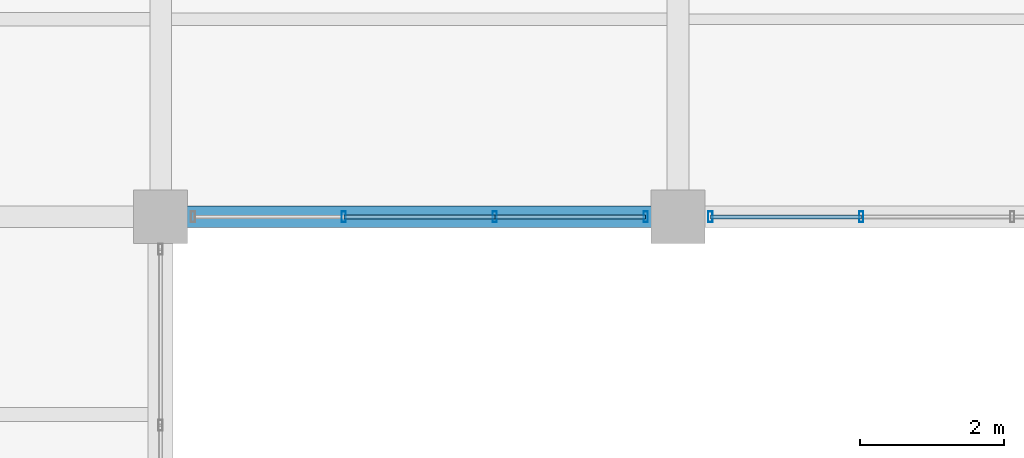
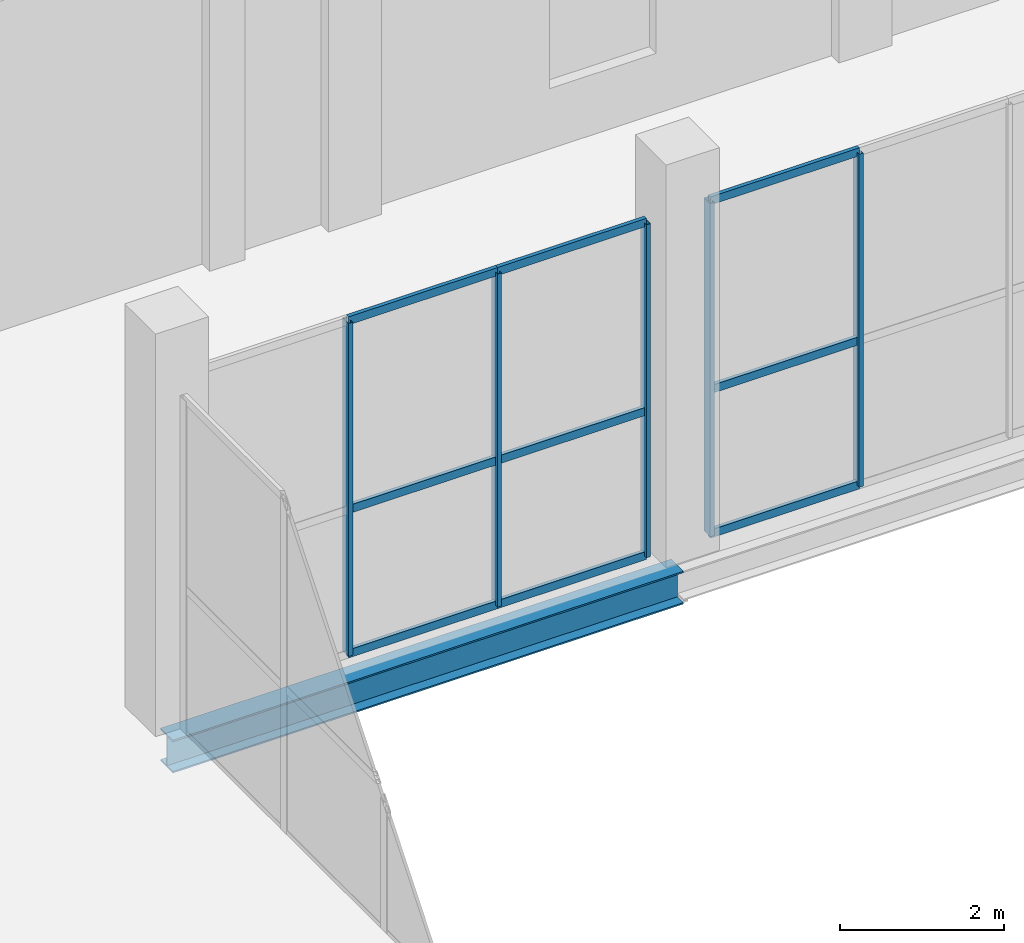
# One storey, part 108 of 144: 14 members, 1 beam, 2 elements without a shape of their own.
"""IFC4 building model written with IfcOpenShell, lengths in metres."""

from ifc_helpers import new_model, si_unit, direction, frame, origin, origin_2d, place, context, subcontext, project, spatial, hollow_rectangle, i_section, extrude, material, layer, layer_set, material_profile, profile_set, type_object, element, aggregate, save


model = new_model("IFC4")

# Units and contexts
model_context = context("Model", 3, precision=1e-05, world=origin(), true_north=direction((0.0, 1.0)))
body_context = subcontext(model_context, "Body", "Model", "MODEL_VIEW")
ifc_project = project(units=[si_unit("LENGTHUNIT", "METRE"), si_unit("AREAUNIT", "SQUARE_METRE"), si_unit("VOLUMEUNIT", "CUBIC_METRE"), si_unit("PLANEANGLEUNIT", "RADIAN"), si_unit("MASSUNIT", "GRAM", prefix="KILO")], contexts=[model_context])

# Site, building, storey
site_placement = place(None, origin())
site = spatial("IfcSite", under=ifc_project, at=site_placement, CompositionType="ELEMENT")
building_placement = place(site_placement, origin())
building = spatial("IfcBuilding", under=site, at=building_placement, Name="Sundgate Opera House", CompositionType="ELEMENT")
storey_placement = place(building_placement, origin())
storey = spatial("IfcBuildingStorey", under=building, at=storey_placement, Name="L00", CompositionType="ELEMENT", Elevation=0.0)

# Beam
ifc_material_1 = material(Name="Steel S355J2", Category="steel")
ifc_material_profile_1 = material_profile(ifc_material_1, i_section(OverallWidth=0.300048828125, OverallDepth=0.489990234375, WebThickness=0.011962890625, FlangeThickness=0.02294921875, at=origin_2d()), Name="HEA 500")
ifc_profile_set_1 = profile_set([ifc_material_profile_1], Name="Steel S355J2")
beam_type = type_object("IfcBeamType", Name="BM-GR-HEA500", PredefinedType="BEAM", material=ifc_profile_set_1)
beam_placement = place(storey_placement, frame((124.199951171875, 111.75, -0.56494140625), z_axis=(1.0, 0.0, 0.0), x_axis=(0.0, 1.0, 0.0)))
element("IfcBeam", 1, at=beam_placement, inside=storey, type_object=beam_type, Name="L00 Primary E-W Girder B0573", PredefinedType="BEAM", context=body_context, shape_type="SweptSolid", body=[
    extrude(i_section(OverallWidth=0.300048828125, OverallDepth=0.489990234375, WebThickness=0.011962890625, FlangeThickness=0.02294921875, at=origin_2d()), origin(), (0.0, 0.0, 1.0), 7.199951171875),
])

# Curtain wall, members
ifc_material_2 = material(Name="Anodized aluminium and low-iron glass", Category="aluminium")
ifc_layer = layer(ifc_material_2, 0.159912109375)
ifc_layer_set = layer_set([ifc_layer], Name="Anodized aluminium and low-iron glass")
curtain_wall_type = type_object("IfcCurtainWallType", Name="CW-STUDIO-DARK", PredefinedType="NOTDEFINED", material=ifc_layer_set)
curtain_wall_1_placement = place(storey_placement, origin())
curtain_wall_1 = element("IfcCurtainWall", 2, at=curtain_wall_1_placement, inside=storey, type_object=curtain_wall_type, Name="L00 Curtain Wall CW081", PredefinedType="NOTDEFINED")
ifc_material_3 = material(Name="Anodized aluminium EN AW-6063", Category="aluminium")
ifc_material_profile_2 = material_profile(ifc_material_3, hollow_rectangle(XDim=0.06005859375, YDim=0.14990234375, WallThickness=0.00390625, at=origin_2d()), Name="CWM 150x60x4")
ifc_profile_set_2 = profile_set([ifc_material_profile_2], Name="Anodized aluminium EN AW-6063")
member_type_1 = type_object("IfcMemberType", Name="CWM-ALU-150x60", PredefinedType="MULLION", material=ifc_profile_set_2)
member_1_placement = place(storey_placement, frame((130.949951171875, 111.75, 0.0), z_axis=(0.0, 0.0, 1.0), x_axis=(1.0, 0.0, 0.0)))
member_1 = element("IfcMember", 3, at=member_1_placement, type_object=member_type_1, Name="CW081 Mullion 1", PredefinedType="MULLION", context=body_context, shape_type="SweptSolid", body=[
    extrude(hollow_rectangle(XDim=0.06005859375, YDim=0.14990234375, WallThickness=0.00390625, at=origin_2d()), origin(), (0.0, 0.0, 1.0), 4.965087890625),
])
member_2_placement = place(storey_placement, frame((128.85009765625, 111.75, 0.0), z_axis=(0.0, 0.0, 1.0), x_axis=(1.0, 0.0, 0.0)))
member_2 = element("IfcMember", 4, at=member_2_placement, type_object=member_type_1, Name="CW081 Mullion 2", PredefinedType="MULLION", context=body_context, shape_type="SweptSolid", body=[
    extrude(hollow_rectangle(XDim=0.06005859375, YDim=0.14990234375, WallThickness=0.00390625, at=origin_2d()), origin(), (0.0, 0.0, 1.0), 4.965087890625),
])
member_3_placement = place(storey_placement, frame((126.75, 111.75, 0.0), z_axis=(0.0, 0.0, 1.0), x_axis=(1.0, 0.0, 0.0)))
member_3 = element("IfcMember", 5, at=member_3_placement, type_object=member_type_1, Name="CW081 Mullion 3", PredefinedType="MULLION", context=body_context, shape_type="SweptSolid", body=[
    extrude(hollow_rectangle(XDim=0.06005859375, YDim=0.14990234375, WallThickness=0.00390625, at=origin_2d()), origin(), (0.0, 0.0, 1.0), 4.965087890625),
])

curtain_wall_2_placement = place(storey_placement, origin())
curtain_wall_2 = element("IfcCurtainWall", 6, at=curtain_wall_2_placement, inside=storey, type_object=curtain_wall_type, Name="L00 Curtain Wall CW083", PredefinedType="NOTDEFINED")
member_4_placement = place(storey_placement, frame((133.949951171875, 111.75, 0.0), z_axis=(0.0, 0.0, 1.0), x_axis=(1.0, 0.0, 0.0)))
member_4 = element("IfcMember", 7, at=member_4_placement, type_object=member_type_1, Name="CW083 Mullion 3", PredefinedType="MULLION", context=body_context, shape_type="SweptSolid", body=[
    extrude(hollow_rectangle(XDim=0.06005859375, YDim=0.14990234375, WallThickness=0.00390625, at=origin_2d()), origin(), (0.0, 0.0, 1.0), 4.965087890625),
])
member_5_placement = place(storey_placement, frame((131.85009765625, 111.75, 0.0), z_axis=(0.0, 0.0, 1.0), x_axis=(1.0, 0.0, 0.0)))
member_5 = element("IfcMember", 8, at=member_5_placement, type_object=member_type_1, Name="CW083 Mullion 4", PredefinedType="MULLION", context=body_context, shape_type="SweptSolid", body=[
    extrude(hollow_rectangle(XDim=0.06005859375, YDim=0.14990234375, WallThickness=0.00390625, at=origin_2d()), origin(), (0.0, 0.0, 1.0), 4.965087890625),
])

# Member
ifc_material_4 = material(Name="Anodized aluminium EN AW-6063", Category="aluminium")
ifc_material_profile_3 = material_profile(ifc_material_4, hollow_rectangle(XDim=0.054931640625, YDim=0.1201171875, WallThickness=0.00390625, at=origin_2d()), Name="CWT 120x55x4")
ifc_profile_set_3 = profile_set([ifc_material_profile_3], Name="Anodized aluminium EN AW-6063")
member_type_2 = type_object("IfcMemberType", Name="CWT-ALU-120x55", PredefinedType="USERDEFINED", material=ifc_profile_set_3)
member_6_placement = place(storey_placement, frame((130.949951171875, 111.75, 0.0), z_axis=(-1.0, 0.0, 0.0), x_axis=(0.0, -1.0, 0.0)))
member_6 = element("IfcMember", 9, at=member_6_placement, type_object=member_type_2, Name="CW081 Transom 1", ObjectType="TRANSOM", PredefinedType="USERDEFINED", context=body_context, shape_type="SweptSolid", body=[
    extrude(hollow_rectangle(XDim=0.054931640625, YDim=0.1201171875, WallThickness=0.00390625, at=origin_2d()), origin(), (0.0, 0.0, 1.0), 2.099853515625),
])

member_7_placement = place(storey_placement, frame((130.949951171875, 111.75, 2.14990234375), z_axis=(-1.0, 0.0, 0.0), x_axis=(0.0, -1.0, 0.0)))
member_7 = element("IfcMember", 10, at=member_7_placement, type_object=member_type_2, Name="CW081 Transom 2", ObjectType="TRANSOM", PredefinedType="USERDEFINED", context=body_context, shape_type="SweptSolid", body=[
    extrude(hollow_rectangle(XDim=0.054931640625, YDim=0.1201171875, WallThickness=0.00390625, at=origin_2d()), origin(), (0.0, 0.0, 1.0), 2.099853515625),
])

member_8_placement = place(storey_placement, frame((130.949951171875, 111.75, 4.965087890625), z_axis=(-1.0, 0.0, 0.0), x_axis=(0.0, -1.0, 0.0)))
member_8 = element("IfcMember", 11, at=member_8_placement, type_object=member_type_2, Name="CW081 Transom 3", ObjectType="TRANSOM", PredefinedType="USERDEFINED", context=body_context, shape_type="SweptSolid", body=[
    extrude(hollow_rectangle(XDim=0.054931640625, YDim=0.1201171875, WallThickness=0.00390625, at=origin_2d()), origin(), (0.0, 0.0, 1.0), 2.099853515625),
])

member_9_placement = place(storey_placement, frame((128.85009765625, 111.75, 0.0), z_axis=(-1.0, 0.0, 0.0), x_axis=(0.0, -1.0, 0.0)))
member_9 = element("IfcMember", 12, at=member_9_placement, type_object=member_type_2, Name="CW081 Transom 4", ObjectType="TRANSOM", PredefinedType="USERDEFINED", context=body_context, shape_type="SweptSolid", body=[
    extrude(hollow_rectangle(XDim=0.054931640625, YDim=0.1201171875, WallThickness=0.00390625, at=origin_2d()), origin(), (0.0, 0.0, 1.0), 2.10009765625),
])

member_10_placement = place(storey_placement, frame((128.85009765625, 111.75, 2.14990234375), z_axis=(-1.0, 0.0, 0.0), x_axis=(0.0, -1.0, 0.0)))
member_10 = element("IfcMember", 13, at=member_10_placement, type_object=member_type_2, Name="CW081 Transom 5", ObjectType="TRANSOM", PredefinedType="USERDEFINED", context=body_context, shape_type="SweptSolid", body=[
    extrude(hollow_rectangle(XDim=0.054931640625, YDim=0.1201171875, WallThickness=0.00390625, at=origin_2d()), origin(), (0.0, 0.0, 1.0), 2.10009765625),
])

member_11_placement = place(storey_placement, frame((128.85009765625, 111.75, 4.965087890625), z_axis=(-1.0, 0.0, 0.0), x_axis=(0.0, -1.0, 0.0)))
member_11 = element("IfcMember", 14, at=member_11_placement, type_object=member_type_2, Name="CW081 Transom 6", ObjectType="TRANSOM", PredefinedType="USERDEFINED", context=body_context, shape_type="SweptSolid", body=[
    extrude(hollow_rectangle(XDim=0.054931640625, YDim=0.1201171875, WallThickness=0.00390625, at=origin_2d()), origin(), (0.0, 0.0, 1.0), 2.10009765625),
])

aggregate(curtain_wall_1, [member_1, member_2, member_3, member_6, member_7, member_8, member_9, member_10, member_11])

member_12_placement = place(storey_placement, frame((133.949951171875, 111.75, 0.0), z_axis=(-1.0, 0.0, 0.0), x_axis=(0.0, -1.0, 0.0)))
member_12 = element("IfcMember", 15, at=member_12_placement, type_object=member_type_2, Name="CW083 Transom 7", ObjectType="TRANSOM", PredefinedType="USERDEFINED", context=body_context, shape_type="SweptSolid", body=[
    extrude(hollow_rectangle(XDim=0.054931640625, YDim=0.1201171875, WallThickness=0.00390625, at=origin_2d()), origin(), (0.0, 0.0, 1.0), 2.099853515625),
])

member_13_placement = place(storey_placement, frame((133.949951171875, 111.75, 2.14990234375), z_axis=(-1.0, 0.0, 0.0), x_axis=(0.0, -1.0, 0.0)))
member_13 = element("IfcMember", 16, at=member_13_placement, type_object=member_type_2, Name="CW083 Transom 8", ObjectType="TRANSOM", PredefinedType="USERDEFINED", context=body_context, shape_type="SweptSolid", body=[
    extrude(hollow_rectangle(XDim=0.054931640625, YDim=0.1201171875, WallThickness=0.00390625, at=origin_2d()), origin(), (0.0, 0.0, 1.0), 2.099853515625),
])

member_14_placement = place(storey_placement, frame((133.949951171875, 111.75, 4.965087890625), z_axis=(-1.0, 0.0, 0.0), x_axis=(0.0, -1.0, 0.0)))
member_14 = element("IfcMember", 17, at=member_14_placement, type_object=member_type_2, Name="CW083 Transom 9", ObjectType="TRANSOM", PredefinedType="USERDEFINED", context=body_context, shape_type="SweptSolid", body=[
    extrude(hollow_rectangle(XDim=0.054931640625, YDim=0.1201171875, WallThickness=0.00390625, at=origin_2d()), origin(), (0.0, 0.0, 1.0), 2.099853515625),
])

aggregate(curtain_wall_2, [member_4, member_5, member_12, member_13, member_14])

save(model, "model.ifc")
